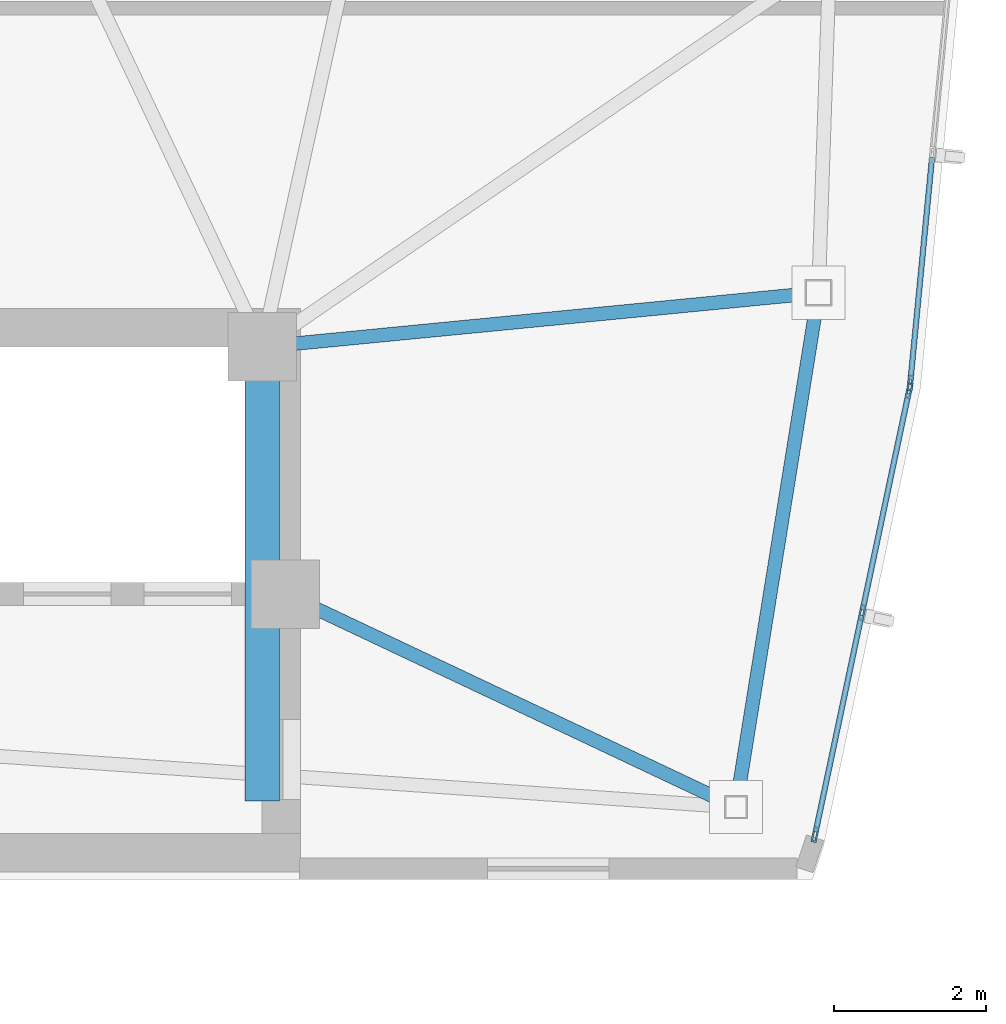
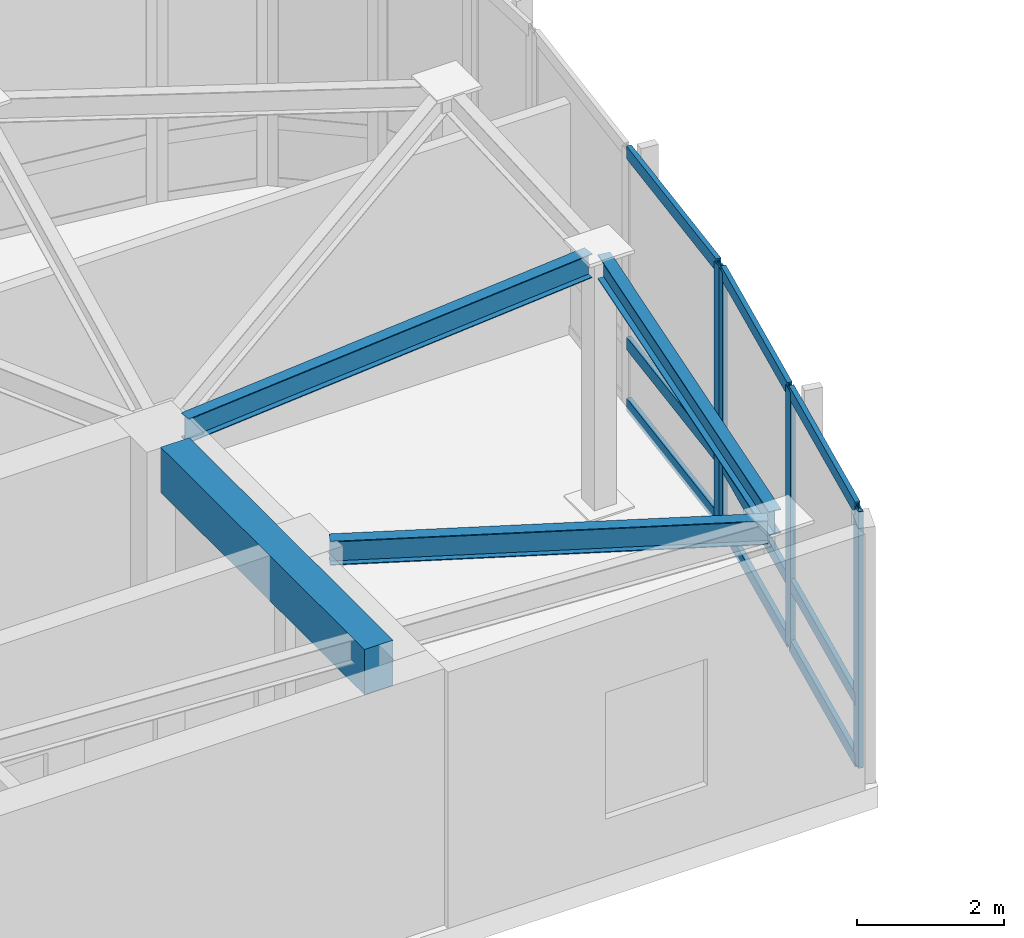
# One storey, part 5 of 16: 13 members, 4 beams, 2 elements without a shape of their own.
"""IFC4 building model written with IfcOpenShell, lengths in metres."""

from ifc_helpers import new_model, si_unit, direction, frame, origin, origin_2d, place, context, subcontext, project, spatial, rectangle, hollow_rectangle, i_section, extrude, source, transform, mapped, material, layer, layer_set, material_profile, profile_set, type_object, type_shapes, element, aggregate, save


model = new_model("IFC4")

# Units and contexts
model_context = context("Model", 3, precision=1e-05, world=origin(), true_north=direction((0.0, 1.0)))
body_context = subcontext(model_context, "Body", "Model", "MODEL_VIEW")
ifc_project = project(units=[si_unit("LENGTHUNIT", "METRE"), si_unit("AREAUNIT", "SQUARE_METRE"), si_unit("VOLUMEUNIT", "CUBIC_METRE"), si_unit("PLANEANGLEUNIT", "RADIAN"), si_unit("MASSUNIT", "GRAM", prefix="KILO")], contexts=[model_context])

# Site, building, storey
site_placement = place(None, origin())
site = spatial("IfcSite", under=ifc_project, at=site_placement, CompositionType="ELEMENT")
building_placement = place(site_placement, origin())
building = spatial("IfcBuilding", under=site, at=building_placement, Name="Tavelor Broadcast Tower", CompositionType="ELEMENT")
storey_placement = place(building_placement, frame((0.0, 0.0, 336.699951171875)))
storey = spatial("IfcBuildingStorey", under=building, at=storey_placement, Name="L80", CompositionType="ELEMENT", Elevation=336.699951171875)

# Beams
ifc_material_1 = material(Name="Concrete C40/50", Category="concrete")
ifc_material_profile_1 = material_profile(ifc_material_1, rectangle(XDim=0.449951171875, YDim=0.75, at=origin_2d()), Name="RC 450x750")
ifc_profile_set_1 = profile_set([ifc_material_profile_1], Name="Concrete C40/50")
beam_type_1 = type_object("IfcBeamType", Name="Basement Core Trim Beam 450x750", PredefinedType="BEAM", material=ifc_profile_set_1)
beam_1_placement = place(storey_placement, frame((56.60009765625, 45.23193359375, 3.875), z_axis=(0.0, 1.0, 0.0), x_axis=(-1.0, 0.0, 0.0)))
element("IfcBeam", 1, at=beam_1_placement, inside=storey, type_object=beam_type_1, Name="L80 Core East-N Tie Girder", PredefinedType="BEAM", context=body_context, shape_type="SweptSolid", body=[
    extrude(rectangle(XDim=0.449951171875, YDim=0.75, at=origin_2d()), origin(), (0.0, 0.0, 1.0), 5.5361328125),
])
ifc_material_2 = material(Name="Steel S355", Category="steel")
ifc_material_profile_2 = material_profile(ifc_material_2, i_section(OverallWidth=0.179931640625, OverallDepth=0.39990234375, WebThickness=0.008544921875, FlangeThickness=0.013427734375, at=origin_2d()), Name="IPE 400")
ifc_profile_set_2 = profile_set([ifc_material_profile_2], Name="Steel S355")
beam_type_2 = type_object("IfcBeamType", Name="Crown Ring Spandrel Beam IPE400", PredefinedType="SPANDREL", material=ifc_profile_set_2)
beam_2_placement = place(storey_placement, frame((62.8505859375, 45.301025390625, 4.050048828125), z_axis=(0.158423056648, 0.987371325856, 0.0), x_axis=(-0.987371325856, 0.158423056648, 0.0)))
element("IfcBeam", 2, at=beam_2_placement, inside=storey, type_object=beam_type_2, Name="L80 Crown Peak A Ring Spandrel 4", PredefinedType="SPANDREL", context=body_context, shape_type="SweptSolid", body=[
    extrude(i_section(OverallWidth=0.179931640625, OverallDepth=0.39990234375, WebThickness=0.008544921875, FlangeThickness=0.013427734375, at=origin_2d()), origin(), (0.0, 0.0, 1.0), 6.515625),
])
beam_3_placement = place(storey_placement, frame((57.29052734375, 47.765380859375, 4.050048828125), z_axis=(0.904175381404, -0.427161421085, 0.0), x_axis=(0.427161421085, 0.904175381404, 0.0)))
element("IfcBeam", 3, at=beam_3_placement, inside=storey, type_object=beam_type_2, Name="L80 Crown Peak A Radial Beam 4", PredefinedType="SPANDREL", context=body_context, shape_type="SweptSolid", body=[
    extrude(i_section(OverallWidth=0.179931640625, OverallDepth=0.39990234375, WebThickness=0.008544921875, FlangeThickness=0.013427734375, at=origin_2d()), origin(), (0.0, 0.0, 1.0), 5.9697265625),
])
beam_4_placement = place(storey_placement, frame((57.030029296875, 51.24169921875, 4.050048828125), z_axis=(0.995308664836, 0.096750512672, 0.0), x_axis=(-0.096750512672, 0.995308664836, 0.0)))
element("IfcBeam", 4, at=beam_4_placement, inside=storey, type_object=beam_type_2, Name="L80 Crown Peak A Radial Beam 5", PredefinedType="SPANDREL", context=body_context, shape_type="SweptSolid", body=[
    extrude(i_section(OverallWidth=0.179931640625, OverallDepth=0.39990234375, WebThickness=0.008544921875, FlangeThickness=0.013427734375, at=origin_2d()), origin(), (0.0, 0.0, 1.0), 6.73486328125),
])

# Curtain wall, members
ifc_material_3 = material(Name="Architectural Anodized Aluminium", Category="aluminium")
ifc_layer = layer(ifc_material_3, 0.2099609375)
ifc_layer_set = layer_set([ifc_layer], Name="Architectural Anodized Aluminium")
curtain_wall_type = type_object("IfcCurtainWallType", Name="Split-Crown Beacon Curtain Wall CW06", PredefinedType="NOTDEFINED", material=ifc_layer_set)
curtain_wall_1_placement = place(storey_placement, origin())
curtain_wall_1 = element("IfcCurtainWall", 5, at=curtain_wall_1_placement, inside=storey, type_object=curtain_wall_type, Name="L80 Curtain Wall CW06 Run 903", PredefinedType="NOTDEFINED")
ifc_material_profile_3 = material_profile(ifc_material_3, hollow_rectangle(XDim=0.072021484375, YDim=0.2099609375, WallThickness=0.02197265625, at=origin_2d()), Name="RHS 72x210x22")
ifc_profile_set_3 = profile_set([ifc_material_profile_3], Name="Architectural Anodized Aluminium")
member_type_1 = type_object("IfcMemberType", Name="CW06 Extruded Aluminium Mullion 72x210", PredefinedType="MULLION", material=ifc_profile_set_3)
shared_shape_1 = source(origin(), body_context, "Body", "SweptSolid", [
    extrude(hollow_rectangle(XDim=0.072021484375, YDim=0.2099609375, WallThickness=0.02197265625, at=origin_2d()), origin(), (0.0, 0.0, 1.0), 4.25),
])
type_shapes(member_type_1, [shared_shape_1])
member_1_placement = place(storey_placement, frame((63.86669921875, 44.790283203125, 0.0), z_axis=(0.0, 0.0, 1.0), x_axis=(-0.978319756641, 0.207100105662, 0.0)))
member_1 = element("IfcMember", 6, at=member_1_placement, type_object=member_type_1, Name="CW06 mullion 1", PredefinedType="MULLION", context=body_context, shape_type="MappedRepresentation", body=[
    mapped(shared_shape_1, transform((0.0, 0.0, 0.0), scale=1.0)),
])
member_2_placement = place(storey_placement, frame((64.484130859375, 47.707275390625, 0.0), z_axis=(0.0, 0.0, 1.0), x_axis=(-0.978319756641, 0.207100105662, 0.0)))
member_2 = element("IfcMember", 7, at=member_2_placement, type_object=member_type_1, Name="CW06 mullion 2", PredefinedType="MULLION", context=body_context, shape_type="MappedRepresentation", body=[
    mapped(shared_shape_1, transform((0.0, 0.0, 0.0), scale=1.0)),
])
member_3_placement = place(storey_placement, frame((65.1015625, 50.624267578125, 0.0), z_axis=(0.0, 0.0, 1.0), x_axis=(-0.978319756641, 0.207100105662, 0.0)))
member_3 = element("IfcMember", 8, at=member_3_placement, type_object=member_type_1, Name="CW06 mullion 3", PredefinedType="MULLION", context=body_context, shape_type="MappedRepresentation", body=[
    mapped(shared_shape_1, transform((0.0, 0.0, 0.0), scale=1.0)),
])

# Curtain wall, member
curtain_wall_2_placement = place(storey_placement, origin())
curtain_wall_2 = element("IfcCurtainWall", 9, at=curtain_wall_2_placement, inside=storey, type_object=curtain_wall_type, Name="L80 Curtain Wall CW06 Run 904", PredefinedType="NOTDEFINED")
member_4_placement = place(storey_placement, frame((65.116943359375, 50.724853515625, 0.0), z_axis=(0.0, 0.0, 1.0), x_axis=(-0.995362378537, 0.09619633773, 0.0)))
member_4 = element("IfcMember", 10, at=member_4_placement, type_object=member_type_1, Name="CW06 mullion 1", PredefinedType="MULLION", context=body_context, shape_type="MappedRepresentation", body=[
    mapped(shared_shape_1, transform((0.0, 0.0, 0.0), scale=1.0)),
])

# Member
ifc_material_profile_4 = material_profile(ifc_material_3, hollow_rectangle(XDim=0.072021484375, YDim=0.2099609375, WallThickness=0.02197265625, at=origin_2d()), Name="RHS 72x210x22")
ifc_profile_set_4 = profile_set([ifc_material_profile_4], Name="Architectural Anodized Aluminium")
member_type_2 = type_object("IfcMemberType", Name="CW06 Extruded Aluminium Transom 72x210", PredefinedType="USERDEFINED", material=ifc_profile_set_4)
shared_shape_2 = source(origin(), body_context, "Body", "SweptSolid", [
    extrude(hollow_rectangle(XDim=0.072021484375, YDim=0.2099609375, WallThickness=0.02197265625, at=origin_2d()), origin(), (0.0, 0.0, 1.0), 2.90966796875),
])
member_5_placement = place(storey_placement, frame((64.49169921875, 47.742431640625, 0.0361328125), z_axis=(0.20707596656, 0.978324866327, 0.0), x_axis=(-0.978324866327, 0.20707596656, 0.0)))
member_5 = element("IfcMember", 11, at=member_5_placement, type_object=member_type_2, Name="CW06 transom 2.1", ObjectType="TRANSOM", PredefinedType="USERDEFINED", context=body_context, shape_type="MappedRepresentation", body=[
    mapped(shared_shape_2, transform((0.0, 0.0, 0.0), scale=1.0)),
])

member_6_placement = place(storey_placement, frame((64.49169921875, 47.742431640625, 1.050048828125), z_axis=(0.20707596656, 0.978324866327, 0.0), x_axis=(-0.978324866327, 0.20707596656, 0.0)))
member_6 = element("IfcMember", 12, at=member_6_placement, type_object=member_type_2, Name="CW06 transom 2.2", ObjectType="TRANSOM", PredefinedType="USERDEFINED", context=body_context, shape_type="MappedRepresentation", body=[
    mapped(shared_shape_2, transform((0.0, 0.0, 0.0), scale=1.0)),
])

member_7_placement = place(storey_placement, frame((64.49169921875, 47.742431640625, 4.214111328125), z_axis=(0.20707596656, 0.978324866327, 0.0), x_axis=(-0.978324866327, 0.20707596656, 0.0)))
member_7 = element("IfcMember", 13, at=member_7_placement, type_object=member_type_2, Name="CW06 transom 2.3", ObjectType="TRANSOM", PredefinedType="USERDEFINED", context=body_context, shape_type="MappedRepresentation", body=[
    mapped(shared_shape_2, transform((0.0, 0.0, 0.0), scale=1.0)),
])

shared_shape_3 = source(origin(), body_context, "Body", "SweptSolid", [
    extrude(hollow_rectangle(XDim=0.072021484375, YDim=0.2099609375, WallThickness=0.02197265625, at=origin_2d()), origin(), (0.0, 0.0, 1.0), 2.941650390625),
])
member_8_placement = place(storey_placement, frame((65.12060546875, 50.7607421875, 0.0361328125), z_axis=(0.096191572622, 0.995362839047, 0.0), x_axis=(-0.995362839047, 0.096191572622, 0.0)))
member_8 = element("IfcMember", 14, at=member_8_placement, type_object=member_type_2, Name="CW06 transom 1.1", ObjectType="TRANSOM", PredefinedType="USERDEFINED", context=body_context, shape_type="MappedRepresentation", body=[
    mapped(shared_shape_3, transform((0.0, 0.0, 0.0), scale=1.0)),
])

member_9_placement = place(storey_placement, frame((65.12060546875, 50.7607421875, 1.050048828125), z_axis=(0.096191572622, 0.995362839047, 0.0), x_axis=(-0.995362839047, 0.096191572622, 0.0)))
member_9 = element("IfcMember", 15, at=member_9_placement, type_object=member_type_2, Name="CW06 transom 1.2", ObjectType="TRANSOM", PredefinedType="USERDEFINED", context=body_context, shape_type="MappedRepresentation", body=[
    mapped(shared_shape_3, transform((0.0, 0.0, 0.0), scale=1.0)),
])

member_10_placement = place(storey_placement, frame((65.12060546875, 50.7607421875, 4.214111328125), z_axis=(0.096191572622, 0.995362839047, 0.0), x_axis=(-0.995362839047, 0.096191572622, 0.0)))
member_10 = element("IfcMember", 16, at=member_10_placement, type_object=member_type_2, Name="CW06 transom 1.3", ObjectType="TRANSOM", PredefinedType="USERDEFINED", context=body_context, shape_type="MappedRepresentation", body=[
    mapped(shared_shape_3, transform((0.0, 0.0, 0.0), scale=1.0)),
])

aggregate(curtain_wall_2, [member_4, member_8, member_9, member_10])

shared_shape_4 = source(origin(), body_context, "Body", "SweptSolid", [
    extrude(hollow_rectangle(XDim=0.072021484375, YDim=0.2099609375, WallThickness=0.02197265625, at=origin_2d()), origin(), (0.0, 0.0, 1.0), 2.909912109375),
])
type_shapes(member_type_2, [shared_shape_2, shared_shape_3, shared_shape_4])
member_11_placement = place(storey_placement, frame((63.8740234375, 44.825439453125, 0.0361328125), z_axis=(0.207156270972, 0.978307865345, 0.0), x_axis=(-0.978307865345, 0.207156270972, 0.0)))
member_11 = element("IfcMember", 17, at=member_11_placement, type_object=member_type_2, Name="CW06 transom 1.1", ObjectType="TRANSOM", PredefinedType="USERDEFINED", context=body_context, shape_type="MappedRepresentation", body=[
    mapped(shared_shape_4, transform((0.0, 0.0, 0.0), scale=1.0)),
])

member_12_placement = place(storey_placement, frame((63.8740234375, 44.825439453125, 1.050048828125), z_axis=(0.207156270972, 0.978307865345, 0.0), x_axis=(-0.978307865345, 0.207156270972, 0.0)))
member_12 = element("IfcMember", 18, at=member_12_placement, type_object=member_type_2, Name="CW06 transom 1.2", ObjectType="TRANSOM", PredefinedType="USERDEFINED", context=body_context, shape_type="MappedRepresentation", body=[
    mapped(shared_shape_4, transform((0.0, 0.0, 0.0), scale=1.0)),
])

member_13_placement = place(storey_placement, frame((63.8740234375, 44.825439453125, 4.214111328125), z_axis=(0.207156270972, 0.978307865345, 0.0), x_axis=(-0.978307865345, 0.207156270972, 0.0)))
member_13 = element("IfcMember", 19, at=member_13_placement, type_object=member_type_2, Name="CW06 transom 1.3", ObjectType="TRANSOM", PredefinedType="USERDEFINED", context=body_context, shape_type="MappedRepresentation", body=[
    mapped(shared_shape_4, transform((0.0, 0.0, 0.0), scale=1.0)),
])

aggregate(curtain_wall_1, [member_1, member_2, member_3, member_11, member_12, member_13, member_5, member_6, member_7])

save(model, "model.ifc")
